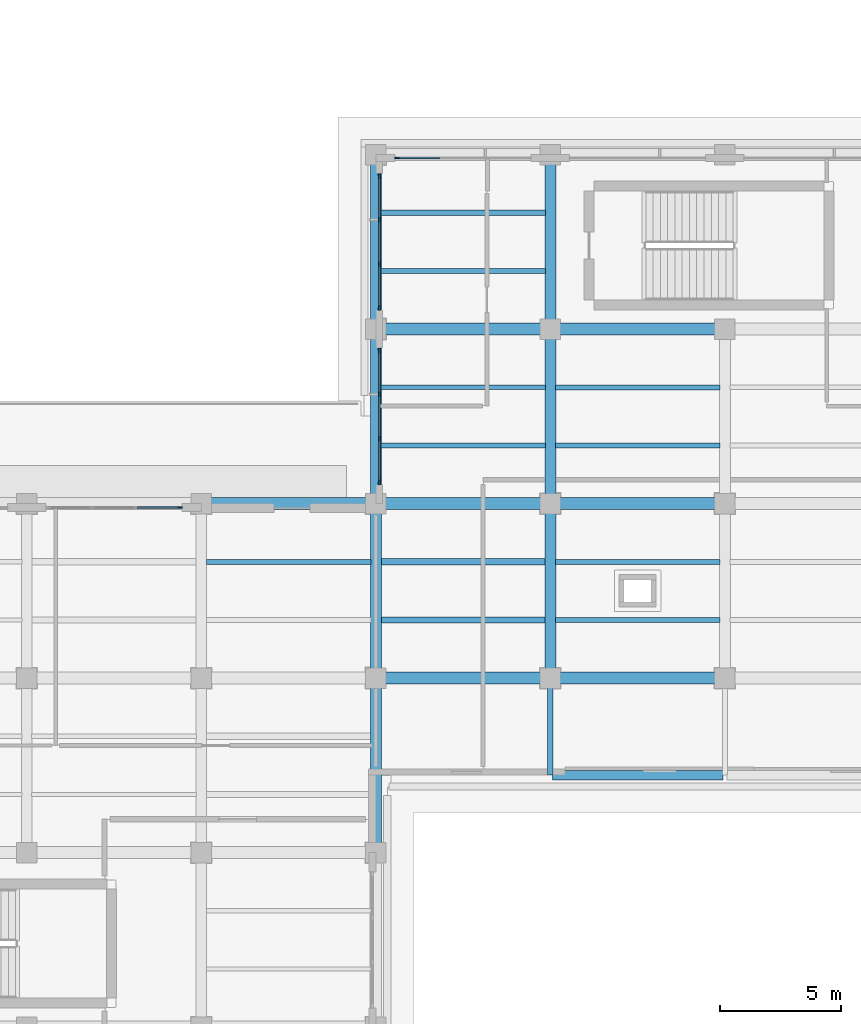
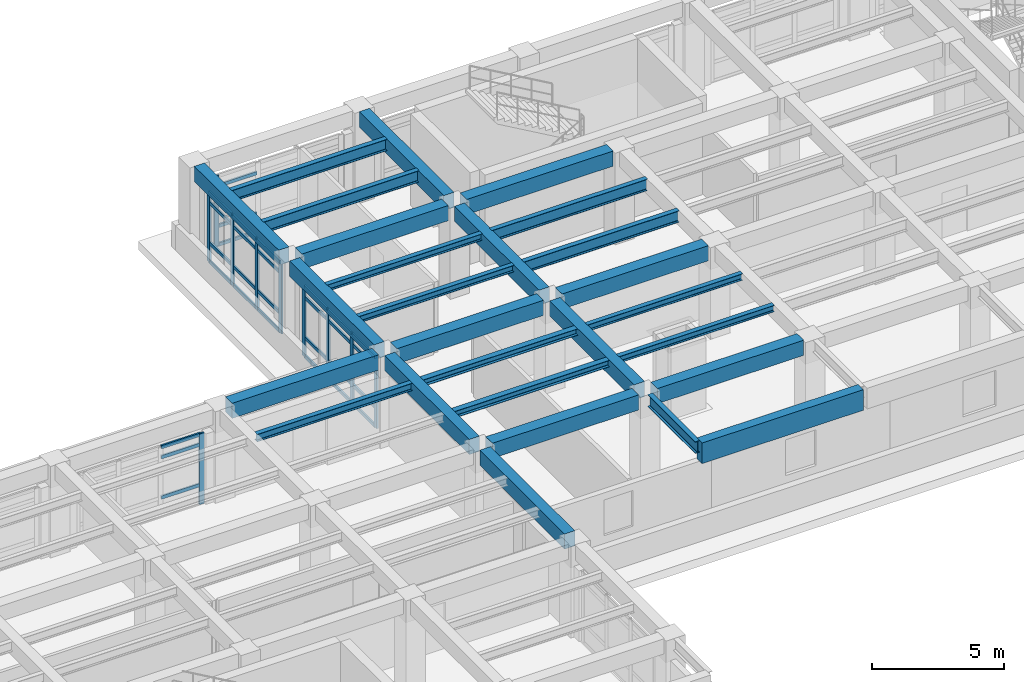
# One storey, part 45 of 98: 40 members, 27 beams, 4 elements without a shape of their own.
"""IFC4 building model written with IfcOpenShell, lengths in metres."""

from ifc_helpers import new_model, si_unit, direction, frame, origin, origin_2d, place, context, subcontext, project, spatial, rectangle, i_section, extrude, material, layer, layer_set, material_profile, profile_set, type_object, element, aggregate, save


model = new_model("IFC4")

# Units and contexts
model_context = context("Model", 3, precision=1e-05, world=origin(), true_north=direction((0.0, 1.0)))
body_context = subcontext(model_context, "Body", "Model", "MODEL_VIEW")
ifc_project = project(units=[si_unit("LENGTHUNIT", "METRE"), si_unit("AREAUNIT", "SQUARE_METRE"), si_unit("VOLUMEUNIT", "CUBIC_METRE"), si_unit("PLANEANGLEUNIT", "RADIAN"), si_unit("MASSUNIT", "GRAM", prefix="KILO")], contexts=[model_context])

# Site, building, storey
site_placement = place(None, origin())
site = spatial("IfcSite", under=ifc_project, at=site_placement, CompositionType="ELEMENT")
building_placement = place(site_placement, origin())
building = spatial("IfcBuilding", under=site, at=building_placement, Name="Solenvale Faculty of Natural Sciences", CompositionType="ELEMENT")
storey_placement = place(building_placement, frame((0.0, 0.0, 9.0)))
storey = spatial("IfcBuildingStorey", under=building, at=storey_placement, Name="L02", CompositionType="ELEMENT", Elevation=9.0)

# Beams
ifc_material_1 = material(Name="Concrete 40 MPa", Category="concrete")
ifc_material_profile_1 = material_profile(ifc_material_1, rectangle(XDim=0.449951171875, YDim=0.699951171875, at=origin_2d()), Name="RC-BM-450x700")
ifc_profile_set_1 = profile_set([ifc_material_profile_1], Name="Concrete 40 MPa")
beam_type_1 = type_object("IfcBeamType", Name="BM-RC-450x700", PredefinedType="BEAM", material=ifc_profile_set_1)
for number, where, z_axis, x_axis, name in (
    (1, (115.199951171875, 29.205078125, 3.8701171875), (0.0, 1.0, 0.0), (-1.0, 0.0, 0.0), "L02 Y-Girder X115.2 (28.8..36.0)"),
    (2, (115.199951171875, 36.405029296875, 3.8701171875), (0.0, 1.0, 0.0), (-1.0, 0.0, 0.0), "L02 Y-Girder X115.2 (36.0..43.2)"),
):
    element("IfcBeam", number, at=place(storey_placement, frame(where, z_axis=z_axis, x_axis=x_axis)), inside=storey, type_object=beam_type_1, Name=name, PredefinedType="BEAM", context=body_context, shape_type="SweptSolid", body=[
        extrude(rectangle(XDim=0.449951171875, YDim=0.699951171875, at=origin_2d()), origin(), (0.0, 0.0, 1.0), 6.389892578125),
    ])
for number, where, z_axis, x_axis, name in (
    (3, (115.199951171875, 43.60498046875, 3.8701171875), (0.0, 1.0, 0.0), (-1.0, 0.0, 0.0), "L02 Y-Girder X115.2 (43.2..50.4)"),
    (4, (115.199951171875, 50.804931640625, 3.8701171875), (0.0, 1.0, 0.0), (-1.0, 0.0, 0.0), "L02 Y-Girder X115.2 (50.4..57.6)"),
):
    element("IfcBeam", number, at=place(storey_placement, frame(where, z_axis=z_axis, x_axis=x_axis)), inside=storey, type_object=beam_type_1, Name=name, PredefinedType="BEAM", context=body_context, shape_type="SweptSolid", body=[
        extrude(rectangle(XDim=0.449951171875, YDim=0.699951171875, at=origin_2d()), origin(), (0.0, 0.0, 1.0), 6.39013671875),
    ])
beam_1_placement = place(storey_placement, frame((122.39990234375, 36.405029296875, 3.8701171875), z_axis=(0.0, 1.0, 0.0), x_axis=(-1.0, 0.0, 0.0)))
element("IfcBeam", 5, at=beam_1_placement, inside=storey, type_object=beam_type_1, Name="L02 Y-Girder X122.4 (36.0..43.2)", PredefinedType="BEAM", context=body_context, shape_type="SweptSolid", body=[
    extrude(rectangle(XDim=0.449951171875, YDim=0.699951171875, at=origin_2d()), origin(), (0.0, 0.0, 1.0), 6.389892578125),
])
for number, where, z_axis, x_axis, name in (
    (6, (122.39990234375, 43.60498046875, 3.8701171875), (0.0, 1.0, 0.0), (-1.0, 0.0, 0.0), "L02 Y-Girder X122.4 (43.2..50.4)"),
    (7, (122.39990234375, 50.804931640625, 3.8701171875), (0.0, 1.0, 0.0), (-1.0, 0.0, 0.0), "L02 Y-Girder X122.4 (50.4..57.6)"),
):
    element("IfcBeam", number, at=place(storey_placement, frame(where, z_axis=z_axis, x_axis=x_axis)), inside=storey, type_object=beam_type_1, Name=name, PredefinedType="BEAM", context=body_context, shape_type="SweptSolid", body=[
        extrude(rectangle(XDim=0.449951171875, YDim=0.699951171875, at=origin_2d()), origin(), (0.0, 0.0, 1.0), 6.39013671875),
    ])
ifc_material_profile_2 = material_profile(ifc_material_1, rectangle(XDim=0.5, YDim=0.699951171875, at=origin_2d()), Name="RC-BM-500x700")
ifc_profile_set_2 = profile_set([ifc_material_profile_2], Name="Concrete 40 MPa")
beam_type_2 = type_object("IfcBeamType", Name="BM-RC-500x700", PredefinedType="BEAM", material=ifc_profile_set_2)
for number, where, z_axis, x_axis, name in (
    (8, (115.60498046875, 36.0, 3.8701171875), (1.0, 0.0, 0.0), (0.0, 1.0, 0.0), "L02 X-Girder Y36.0 (115.2..122.4)"),
    (9, (122.804931640625, 36.0, 3.8701171875), (1.0, 0.0, 0.0), (0.0, 1.0, 0.0), "L02 X-Girder Y36.0 (122.4..129.6)"),
):
    element("IfcBeam", number, at=place(storey_placement, frame(where, z_axis=z_axis, x_axis=x_axis)), inside=storey, type_object=beam_type_2, Name=name, PredefinedType="BEAM", context=body_context, shape_type="SweptSolid", body=[
        extrude(rectangle(XDim=0.5, YDim=0.699951171875, at=origin_2d()), origin(), (0.0, 0.0, 1.0), 6.39013671875),
    ])
beam_2_placement = place(storey_placement, frame((108.405029296875, 43.199951171875, 3.8701171875), z_axis=(1.0, 0.0, 0.0), x_axis=(0.0, 1.0, 0.0)))
element("IfcBeam", 10, at=beam_2_placement, inside=storey, type_object=beam_type_2, Name="L02 X-Girder Y43.2 (108.0..115.2)", PredefinedType="BEAM", context=body_context, shape_type="SweptSolid", body=[
    extrude(rectangle(XDim=0.5, YDim=0.699951171875, at=origin_2d()), origin(), (0.0, 0.0, 1.0), 6.389892578125),
])
for number, where, z_axis, x_axis, name in (
    (11, (115.60498046875, 43.199951171875, 3.8701171875), (1.0, 0.0, 0.0), (0.0, 1.0, 0.0), "L02 X-Girder Y43.2 (115.2..122.4)"),
    (12, (122.804931640625, 43.199951171875, 3.8701171875), (1.0, 0.0, 0.0), (0.0, 1.0, 0.0), "L02 X-Girder Y43.2 (122.4..129.6)"),
    (13, (115.60498046875, 50.39990234375, 3.8701171875), (1.0, 0.0, 0.0), (0.0, 1.0, 0.0), "L02 X-Girder Y50.4 (115.2..122.4)"),
    (14, (122.804931640625, 50.39990234375, 3.8701171875), (1.0, 0.0, 0.0), (0.0, 1.0, 0.0), "L02 X-Girder Y50.4 (122.4..129.6)"),
):
    element("IfcBeam", number, at=place(storey_placement, frame(where, z_axis=z_axis, x_axis=x_axis)), inside=storey, type_object=beam_type_2, Name=name, PredefinedType="BEAM", context=body_context, shape_type="SweptSolid", body=[
        extrude(rectangle(XDim=0.5, YDim=0.699951171875, at=origin_2d()), origin(), (0.0, 0.0, 1.0), 6.39013671875),
    ])
ifc_material_2 = material(Name="Architectural bronze concrete 40 MPa", Category="concrete")
ifc_material_profile_3 = material_profile(ifc_material_2, rectangle(XDim=0.39990234375, YDim=0.949951171875, at=origin_2d()), Name="RC-SPN-400x950")
ifc_profile_set_3 = profile_set([ifc_material_profile_3], Name="Architectural bronze concrete 40 MPa")
beam_type_3 = type_object("IfcBeamType", Name="BM-SPN-BRZ-950", PredefinedType="SPANDREL", material=ifc_profile_set_3)
beam_3_placement = place(storey_placement, frame((122.47998046875, 32.0, 3.7451171875), z_axis=(1.0, 0.0, 0.0), x_axis=(0.0, 1.0, 0.0)))
element("IfcBeam", 15, at=beam_3_placement, inside=storey, type_object=beam_type_3, Name="L03 Commons Sliding-Tray South Bronze Fascia 1", PredefinedType="SPANDREL", context=body_context, shape_type="SweptSolid", body=[
    extrude(rectangle(XDim=0.39990234375, YDim=0.949951171875, at=origin_2d()), origin(), (0.0, 0.0, 1.0), 7.0400390625),
])
ifc_material_3 = material(Name="Steel S355", Category="steel")
ifc_material_profile_4 = material_profile(ifc_material_3, i_section(OverallWidth=0.202880859375, OverallDepth=0.302978515625, WebThickness=0.007568359375, FlangeThickness=0.01318359375, FilletRadius=0.014892578125, at=origin_2d()), Name="W310x60")
ifc_profile_set_4 = profile_set([ifc_material_profile_4], Name="Steel S355")
beam_type_4 = type_object("IfcBeamType", Name="BM-STL-W310x60", PredefinedType="JOIST", material=ifc_profile_set_4)
for number, where, z_axis, x_axis, name in (
    (16, (115.405029296875, 45.60009765625, 4.068603515625), (1.0, 0.0, 0.0), (0.0, 1.0, 0.0), "L02 Composite Floor Joist (17,7).1"),
    (17, (115.405029296875, 48.0, 4.068603515625), (1.0, 0.0, 0.0), (0.0, 1.0, 0.0), "L02 Composite Floor Joist (17,7).2"),
    (18, (122.60498046875, 38.39990234375, 4.068603515625), (1.0, 0.0, 0.0), (0.0, 1.0, 0.0), "L02 Composite Floor Joist (18,6).1"),
    (19, (122.60498046875, 40.800048828125, 4.068603515625), (1.0, 0.0, 0.0), (0.0, 1.0, 0.0), "L02 Composite Floor Joist (18,6).2"),
):
    element("IfcBeam", number, at=place(storey_placement, frame(where, z_axis=z_axis, x_axis=x_axis)), inside=storey, type_object=beam_type_4, Name=name, PredefinedType="JOIST", context=body_context, shape_type="SweptSolid", body=[
        extrude(i_section(OverallWidth=0.202880859375, OverallDepth=0.302978515625, WebThickness=0.007568359375, FlangeThickness=0.01318359375, FilletRadius=0.014892578125, at=origin_2d()), origin(), (0.0, 0.0, 1.0), 6.7900390625),
    ])
ifc_material_profile_5 = material_profile(ifc_material_3, i_section(OverallWidth=0.25390625, OverallDepth=0.305908203125, WebThickness=0.0087890625, FlangeThickness=0.0146484375, FilletRadius=0.014892578125, at=origin_2d()), Name="W310x79")
ifc_profile_set_5 = profile_set([ifc_material_profile_5], Name="Steel S355")
beam_type_5 = type_object("IfcBeamType", Name="BM-STL-W310x79", PredefinedType="JOIST", material=ifc_profile_set_5)
for number, where, z_axis, x_axis, name in (
    (20, (115.405029296875, 38.39990234375, 4.06689453125), (1.0, 0.0, 0.0), (0.0, 1.0, 0.0), "L02 Composite Floor Joist (17,6).1"),
    (21, (115.405029296875, 40.800048828125, 4.06689453125), (1.0, 0.0, 0.0), (0.0, 1.0, 0.0), "L02 Composite Floor Joist (17,6).2"),
):
    element("IfcBeam", number, at=place(storey_placement, frame(where, z_axis=z_axis, x_axis=x_axis)), inside=storey, type_object=beam_type_5, Name=name, PredefinedType="JOIST", context=body_context, shape_type="SweptSolid", body=[
        extrude(i_section(OverallWidth=0.25390625, OverallDepth=0.305908203125, WebThickness=0.0087890625, FlangeThickness=0.0146484375, FilletRadius=0.014892578125, at=origin_2d()), origin(), (0.0, 0.0, 1.0), 6.7900390625),
    ])
ifc_material_profile_6 = material_profile(ifc_material_3, i_section(OverallWidth=0.2041015625, OverallDepth=0.35009765625, WebThickness=0.008544921875, FlangeThickness=0.01513671875, FilletRadius=0.014892578125, at=origin_2d()), Name="W360x72")
ifc_profile_set_6 = profile_set([ifc_material_profile_6], Name="Steel S355")
beam_type_6 = type_object("IfcBeamType", Name="BM-STL-W360x72", PredefinedType="JOIST", material=ifc_profile_set_6)
beam_4_placement = place(storey_placement, frame((108.205078125, 40.800048828125, 4.044921875), z_axis=(1.0, 0.0, 0.0), x_axis=(0.0, 1.0, 0.0)))
element("IfcBeam", 22, at=beam_4_placement, inside=storey, type_object=beam_type_6, Name="L02 Composite Floor Joist (16,6).2", PredefinedType="JOIST", context=body_context, shape_type="SweptSolid", body=[
    extrude(i_section(OverallWidth=0.2041015625, OverallDepth=0.35009765625, WebThickness=0.008544921875, FlangeThickness=0.01513671875, FilletRadius=0.014892578125, at=origin_2d()), origin(), (0.0, 0.0, 1.0), 6.7900390625),
])
ifc_material_profile_7 = material_profile(ifc_material_3, i_section(OverallWidth=0.2119140625, OverallDepth=0.5439453125, WebThickness=0.01318359375, FlangeThickness=0.021240234375, FilletRadius=0.01904296875, at=origin_2d()), Name="W530x123")
ifc_profile_set_7 = profile_set([ifc_material_profile_7], Name="Steel S355")
beam_type_7 = type_object("IfcBeamType", Name="BM-STL-W530x123", PredefinedType="BEAM", material=ifc_profile_set_7)
beam_5_placement = place(storey_placement, frame((122.39990234375, 35.594970703125, 3.947998046875), z_axis=(0.0, -1.0, 0.0), x_axis=(1.0, 0.0, 0.0)))
element("IfcBeam", 23, at=beam_5_placement, inside=storey, type_object=beam_type_7, Name="L02 V2 Cantilever Tray Girder X122.4", PredefinedType="BEAM", context=body_context, shape_type="SweptSolid", body=[
    extrude(i_section(OverallWidth=0.2119140625, OverallDepth=0.5439453125, WebThickness=0.01318359375, FlangeThickness=0.021240234375, FilletRadius=0.01904296875, at=origin_2d()), origin(), (0.0, 0.0, 1.0), 3.594970703125),
])
ifc_material_profile_8 = material_profile(ifc_material_3, i_section(OverallWidth=0.208984375, OverallDepth=0.532958984375, WebThickness=0.01025390625, FlangeThickness=0.015625, FilletRadius=0.01904296875, at=origin_2d()), Name="W530x92")
ifc_profile_set_8 = profile_set([ifc_material_profile_8], Name="Steel S355")
beam_type_8 = type_object("IfcBeamType", Name="BM-STL-W530x92", PredefinedType="JOIST", material=ifc_profile_set_8)
for number, where, z_axis, x_axis, name in (
    (24, (115.405029296875, 52.800048828125, 3.95361328125), (1.0, 0.0, 0.0), (0.0, 1.0, 0.0), "L02 Composite Floor Joist (17,8).1"),
    (25, (115.405029296875, 55.199951171875, 3.95361328125), (1.0, 0.0, 0.0), (0.0, 1.0, 0.0), "L02 Composite Floor Joist (17,8).2"),
    (26, (122.60498046875, 45.60009765625, 3.95361328125), (1.0, 0.0, 0.0), (0.0, 1.0, 0.0), "L02 Composite Floor Joist (18,7).1"),
    (27, (122.60498046875, 48.0, 3.95361328125), (1.0, 0.0, 0.0), (0.0, 1.0, 0.0), "L02 Composite Floor Joist (18,7).2"),
):
    element("IfcBeam", number, at=place(storey_placement, frame(where, z_axis=z_axis, x_axis=x_axis)), inside=storey, type_object=beam_type_8, Name=name, PredefinedType="JOIST", context=body_context, shape_type="SweptSolid", body=[
        extrude(i_section(OverallWidth=0.208984375, OverallDepth=0.532958984375, WebThickness=0.01025390625, FlangeThickness=0.015625, FilletRadius=0.01904296875, at=origin_2d()), origin(), (0.0, 0.0, 1.0), 6.7900390625),
    ])

# Curtain wall, member
ifc_material_4 = material(Name="Anodised bronze aluminium", Category="aluminium")
ifc_layer_1 = layer(ifc_material_4, 0.199951171875)
ifc_layer_set_1 = layer_set([ifc_layer_1], Name="Anodised bronze aluminium")
curtain_wall_type_1 = type_object("IfcCurtainWallType", Name="CW-COM-FIN", PredefinedType="USERDEFINED", material=ifc_layer_set_1)
curtain_wall_1_placement = place(storey_placement, origin())
curtain_wall_1 = element("IfcCurtainWall", 28, at=curtain_wall_1_placement, inside=storey, type_object=curtain_wall_type_1, Name="L02 Curtain Wall CW-L02-P1-E4-B7", ObjectType="UNITISED CURTAIN WALL", PredefinedType="USERDEFINED")
ifc_material_profile_9 = material_profile(ifc_material_4, rectangle(XDim=0.074951171875, YDim=0.2099609375, at=origin_2d()), Name="ALU-MUL-75x210")
ifc_profile_set_9 = profile_set([ifc_material_profile_9], Name="Anodised bronze aluminium")
member_type_1 = type_object("IfcMemberType", Name="CWM-ALU-75x210", PredefinedType="MULLION", material=ifc_profile_set_9)
member_1_placement = place(storey_placement, frame((116.08740234375, 57.45751953125, 0.0), z_axis=(0.0, 0.0, 1.0), x_axis=(0.0, -1.0, 0.0)))
member_1 = element("IfcMember", 29, at=member_1_placement, type_object=member_type_1, Name="CW-03 mullion 4", PredefinedType="MULLION", context=body_context, shape_type="SweptSolid", body=[
    extrude(rectangle(XDim=0.074951171875, YDim=0.2099609375, at=origin_2d()), origin(), (0.0, 0.0, 1.0), 3.260009765625),
])

# Curtain wall, members
curtain_wall_2_placement = place(storey_placement, origin())
curtain_wall_2 = element("IfcCurtainWall", 30, at=curtain_wall_2_placement, inside=storey, type_object=curtain_wall_type_1, Name="L02 Curtain Wall CW-L02-P1-E5-B1", ObjectType="UNITISED CURTAIN WALL", PredefinedType="USERDEFINED")
member_2_placement = place(storey_placement, frame((115.342529296875, 56.71240234375, 0.0), z_axis=(0.0, 0.0, 1.0), x_axis=(1.0, 0.0, 0.0)))
member_2 = element("IfcMember", 31, at=member_2_placement, type_object=member_type_1, Name="CW-03 mullion 1", PredefinedType="MULLION", context=body_context, shape_type="SweptSolid", body=[
    extrude(rectangle(XDim=0.074951171875, YDim=0.2099609375, at=origin_2d()), origin(), (0.0, 0.0, 1.0), 3.260009765625),
])
member_3_placement = place(storey_placement, frame((115.342529296875, 54.916748046875, 0.0), z_axis=(0.0, 0.0, 1.0), x_axis=(1.0, 0.0, 0.0)))
member_3 = element("IfcMember", 32, at=member_3_placement, type_object=member_type_1, Name="CW-03 mullion 2", PredefinedType="MULLION", context=body_context, shape_type="SweptSolid", body=[
    extrude(rectangle(XDim=0.074951171875, YDim=0.2099609375, at=origin_2d()), origin(), (0.0, 0.0, 1.0), 3.260009765625),
])
member_4_placement = place(storey_placement, frame((115.342529296875, 53.083251953125, 0.0), z_axis=(0.0, 0.0, 1.0), x_axis=(1.0, 0.0, 0.0)))
member_4 = element("IfcMember", 33, at=member_4_placement, type_object=member_type_1, Name="CW-03 mullion 3", PredefinedType="MULLION", context=body_context, shape_type="SweptSolid", body=[
    extrude(rectangle(XDim=0.074951171875, YDim=0.2099609375, at=origin_2d()), origin(), (0.0, 0.0, 1.0), 3.260009765625),
])
member_5_placement = place(storey_placement, frame((115.342529296875, 51.28759765625, 0.0), z_axis=(0.0, 0.0, 1.0), x_axis=(1.0, 0.0, 0.0)))
member_5 = element("IfcMember", 34, at=member_5_placement, type_object=member_type_1, Name="CW-03 mullion 4", PredefinedType="MULLION", context=body_context, shape_type="SweptSolid", body=[
    extrude(rectangle(XDim=0.074951171875, YDim=0.2099609375, at=origin_2d()), origin(), (0.0, 0.0, 1.0), 3.260009765625),
])

curtain_wall_3_placement = place(storey_placement, origin())
curtain_wall_3 = element("IfcCurtainWall", 35, at=curtain_wall_3_placement, inside=storey, type_object=curtain_wall_type_1, Name="L02 Curtain Wall CW-L02-P1-E5-B2", ObjectType="UNITISED CURTAIN WALL", PredefinedType="USERDEFINED")
member_6_placement = place(storey_placement, frame((115.342529296875, 49.512451171875, 0.0), z_axis=(0.0, 0.0, 1.0), x_axis=(1.0, 0.0, 0.0)))
member_6 = element("IfcMember", 36, at=member_6_placement, type_object=member_type_1, Name="CW-03 mullion 1", PredefinedType="MULLION", context=body_context, shape_type="SweptSolid", body=[
    extrude(rectangle(XDim=0.074951171875, YDim=0.2099609375, at=origin_2d()), origin(), (0.0, 0.0, 1.0), 3.260009765625),
])
member_7_placement = place(storey_placement, frame((115.342529296875, 47.716552734375, 0.0), z_axis=(0.0, 0.0, 1.0), x_axis=(1.0, 0.0, 0.0)))
member_7 = element("IfcMember", 37, at=member_7_placement, type_object=member_type_1, Name="CW-03 mullion 2", PredefinedType="MULLION", context=body_context, shape_type="SweptSolid", body=[
    extrude(rectangle(XDim=0.074951171875, YDim=0.2099609375, at=origin_2d()), origin(), (0.0, 0.0, 1.0), 3.260009765625),
])
member_8_placement = place(storey_placement, frame((115.342529296875, 45.88330078125, 0.0), z_axis=(0.0, 0.0, 1.0), x_axis=(1.0, 0.0, 0.0)))
member_8 = element("IfcMember", 38, at=member_8_placement, type_object=member_type_1, Name="CW-03 mullion 3", PredefinedType="MULLION", context=body_context, shape_type="SweptSolid", body=[
    extrude(rectangle(XDim=0.074951171875, YDim=0.2099609375, at=origin_2d()), origin(), (0.0, 0.0, 1.0), 3.260009765625),
])
member_9_placement = place(storey_placement, frame((115.342529296875, 44.08740234375, 0.0), z_axis=(0.0, 0.0, 1.0), x_axis=(1.0, 0.0, 0.0)))
member_9 = element("IfcMember", 39, at=member_9_placement, type_object=member_type_1, Name="CW-03 mullion 4", PredefinedType="MULLION", context=body_context, shape_type="SweptSolid", body=[
    extrude(rectangle(XDim=0.074951171875, YDim=0.2099609375, at=origin_2d()), origin(), (0.0, 0.0, 1.0), 3.260009765625),
])

# Curtain wall, member
ifc_layer_2 = layer(ifc_material_4, 0.18994140625)
ifc_layer_set_2 = layer_set([ifc_layer_2], Name="Anodised bronze aluminium")
curtain_wall_type_2 = type_object("IfcCurtainWallType", Name="CW-TRAY-REC", PredefinedType="USERDEFINED", material=ifc_layer_set_2)
curtain_wall_4_placement = place(storey_placement, origin())
curtain_wall_4 = element("IfcCurtainWall", 40, at=curtain_wall_4_placement, inside=storey, type_object=curtain_wall_type_2, Name="L02 Curtain Wall CW-L02-P1-E6-B2", ObjectType="UNITISED CURTAIN WALL", PredefinedType="USERDEFINED")
member_10_placement = place(storey_placement, frame((107.112548828125, 43.03759765625, 0.0), z_axis=(0.0, 0.0, 1.0), x_axis=(0.0, -1.0, 0.0)))
member_10 = element("IfcMember", 41, at=member_10_placement, type_object=member_type_1, Name="CW-02 mullion 1", PredefinedType="MULLION", context=body_context, shape_type="SweptSolid", body=[
    extrude(rectangle(XDim=0.074951171875, YDim=0.2099609375, at=origin_2d()), origin(), (0.0, 0.0, 1.0), 3.260009765625),
])

# Member
ifc_material_profile_10 = material_profile(ifc_material_4, rectangle(XDim=0.074951171875, YDim=0.155029296875, at=origin_2d()), Name="ALU-TRN-75x155")
ifc_profile_set_10 = profile_set([ifc_material_profile_10], Name="Anodised bronze aluminium")
member_type_2 = type_object("IfcMemberType", Name="CWT-ALU-75x155", PredefinedType="USERDEFINED", material=ifc_profile_set_10)
member_11_placement = place(storey_placement, frame((117.845947265625, 57.45751953125, 0.03759765625), z_axis=(-1.0, 0.0, 0.0), x_axis=(0.0, -1.0, 0.0)))
member_11 = element("IfcMember", 42, at=member_11_placement, type_object=member_type_2, Name="CW-03 transom 3.1", ObjectType="TRANSOM", PredefinedType="USERDEFINED", context=body_context, shape_type="SweptSolid", body=[
    extrude(rectangle(XDim=0.074951171875, YDim=0.155029296875, at=origin_2d()), origin(), (0.0, 0.0, 1.0), 1.720947265625),
])

member_12_placement = place(storey_placement, frame((117.845947265625, 57.45751953125, 0.89990234375), z_axis=(-1.0, 0.0, 0.0), x_axis=(0.0, -1.0, 0.0)))
member_12 = element("IfcMember", 43, at=member_12_placement, type_object=member_type_2, Name="CW-03 transom 3.2", ObjectType="TRANSOM", PredefinedType="USERDEFINED", context=body_context, shape_type="SweptSolid", body=[
    extrude(rectangle(XDim=0.074951171875, YDim=0.155029296875, at=origin_2d()), origin(), (0.0, 0.0, 1.0), 1.720947265625),
])

member_13_placement = place(storey_placement, frame((117.845947265625, 57.45751953125, 2.760009765625), z_axis=(-1.0, 0.0, 0.0), x_axis=(0.0, -1.0, 0.0)))
member_13 = element("IfcMember", 44, at=member_13_placement, type_object=member_type_2, Name="CW-03 transom 3.3", ObjectType="TRANSOM", PredefinedType="USERDEFINED", context=body_context, shape_type="SweptSolid", body=[
    extrude(rectangle(XDim=0.074951171875, YDim=0.155029296875, at=origin_2d()), origin(), (0.0, 0.0, 1.0), 1.720947265625),
])

aggregate(curtain_wall_1, [member_1, member_11, member_12, member_13])

member_14_placement = place(storey_placement, frame((115.342529296875, 56.675048828125, 0.03759765625), z_axis=(0.0, -1.0, 0.0), x_axis=(1.0, 0.0, 0.0)))
member_14 = element("IfcMember", 45, at=member_14_placement, type_object=member_type_2, Name="CW-03 transom 1.1", ObjectType="TRANSOM", PredefinedType="USERDEFINED", context=body_context, shape_type="SweptSolid", body=[
    extrude(rectangle(XDim=0.074951171875, YDim=0.155029296875, at=origin_2d()), origin(), (0.0, 0.0, 1.0), 1.720947265625),
])

member_15_placement = place(storey_placement, frame((115.342529296875, 56.675048828125, 0.89990234375), z_axis=(0.0, -1.0, 0.0), x_axis=(1.0, 0.0, 0.0)))
member_15 = element("IfcMember", 46, at=member_15_placement, type_object=member_type_2, Name="CW-03 transom 1.2", ObjectType="TRANSOM", PredefinedType="USERDEFINED", context=body_context, shape_type="SweptSolid", body=[
    extrude(rectangle(XDim=0.074951171875, YDim=0.155029296875, at=origin_2d()), origin(), (0.0, 0.0, 1.0), 1.720947265625),
])

member_16_placement = place(storey_placement, frame((115.342529296875, 56.675048828125, 2.760009765625), z_axis=(0.0, -1.0, 0.0), x_axis=(1.0, 0.0, 0.0)))
member_16 = element("IfcMember", 47, at=member_16_placement, type_object=member_type_2, Name="CW-03 transom 1.3", ObjectType="TRANSOM", PredefinedType="USERDEFINED", context=body_context, shape_type="SweptSolid", body=[
    extrude(rectangle(XDim=0.074951171875, YDim=0.155029296875, at=origin_2d()), origin(), (0.0, 0.0, 1.0), 1.720947265625),
])

member_17_placement = place(storey_placement, frame((115.342529296875, 56.675048828125, 3.222412109375), z_axis=(0.0, -1.0, 0.0), x_axis=(1.0, 0.0, 0.0)))
member_17 = element("IfcMember", 48, at=member_17_placement, type_object=member_type_2, Name="CW-03 transom 1.4", ObjectType="TRANSOM", PredefinedType="USERDEFINED", context=body_context, shape_type="SweptSolid", body=[
    extrude(rectangle(XDim=0.074951171875, YDim=0.155029296875, at=origin_2d()), origin(), (0.0, 0.0, 1.0), 1.720947265625),
])

member_18_placement = place(storey_placement, frame((115.342529296875, 54.879150390625, 0.03759765625), z_axis=(0.0, -1.0, 0.0), x_axis=(1.0, 0.0, 0.0)))
member_18 = element("IfcMember", 49, at=member_18_placement, type_object=member_type_2, Name="CW-03 transom 2.1", ObjectType="TRANSOM", PredefinedType="USERDEFINED", context=body_context, shape_type="SweptSolid", body=[
    extrude(rectangle(XDim=0.074951171875, YDim=0.155029296875, at=origin_2d()), origin(), (0.0, 0.0, 1.0), 1.75830078125),
])

member_19_placement = place(storey_placement, frame((115.342529296875, 54.879150390625, 0.89990234375), z_axis=(0.0, -1.0, 0.0), x_axis=(1.0, 0.0, 0.0)))
member_19 = element("IfcMember", 50, at=member_19_placement, type_object=member_type_2, Name="CW-03 transom 2.2", ObjectType="TRANSOM", PredefinedType="USERDEFINED", context=body_context, shape_type="SweptSolid", body=[
    extrude(rectangle(XDim=0.074951171875, YDim=0.155029296875, at=origin_2d()), origin(), (0.0, 0.0, 1.0), 1.75830078125),
])

member_20_placement = place(storey_placement, frame((115.342529296875, 54.879150390625, 2.760009765625), z_axis=(0.0, -1.0, 0.0), x_axis=(1.0, 0.0, 0.0)))
member_20 = element("IfcMember", 51, at=member_20_placement, type_object=member_type_2, Name="CW-03 transom 2.3", ObjectType="TRANSOM", PredefinedType="USERDEFINED", context=body_context, shape_type="SweptSolid", body=[
    extrude(rectangle(XDim=0.074951171875, YDim=0.155029296875, at=origin_2d()), origin(), (0.0, 0.0, 1.0), 1.75830078125),
])

member_21_placement = place(storey_placement, frame((115.342529296875, 54.879150390625, 3.222412109375), z_axis=(0.0, -1.0, 0.0), x_axis=(1.0, 0.0, 0.0)))
member_21 = element("IfcMember", 52, at=member_21_placement, type_object=member_type_2, Name="CW-03 transom 2.4", ObjectType="TRANSOM", PredefinedType="USERDEFINED", context=body_context, shape_type="SweptSolid", body=[
    extrude(rectangle(XDim=0.074951171875, YDim=0.155029296875, at=origin_2d()), origin(), (0.0, 0.0, 1.0), 1.75830078125),
])

member_22_placement = place(storey_placement, frame((115.342529296875, 53.0458984375, 0.03759765625), z_axis=(0.0, -1.0, 0.0), x_axis=(1.0, 0.0, 0.0)))
member_22 = element("IfcMember", 53, at=member_22_placement, type_object=member_type_2, Name="CW-03 transom 3.1", ObjectType="TRANSOM", PredefinedType="USERDEFINED", context=body_context, shape_type="SweptSolid", body=[
    extrude(rectangle(XDim=0.074951171875, YDim=0.155029296875, at=origin_2d()), origin(), (0.0, 0.0, 1.0), 1.720947265625),
])

member_23_placement = place(storey_placement, frame((115.342529296875, 53.0458984375, 0.89990234375), z_axis=(0.0, -1.0, 0.0), x_axis=(1.0, 0.0, 0.0)))
member_23 = element("IfcMember", 54, at=member_23_placement, type_object=member_type_2, Name="CW-03 transom 3.2", ObjectType="TRANSOM", PredefinedType="USERDEFINED", context=body_context, shape_type="SweptSolid", body=[
    extrude(rectangle(XDim=0.074951171875, YDim=0.155029296875, at=origin_2d()), origin(), (0.0, 0.0, 1.0), 1.720947265625),
])

member_24_placement = place(storey_placement, frame((115.342529296875, 53.0458984375, 2.760009765625), z_axis=(0.0, -1.0, 0.0), x_axis=(1.0, 0.0, 0.0)))
member_24 = element("IfcMember", 55, at=member_24_placement, type_object=member_type_2, Name="CW-03 transom 3.3", ObjectType="TRANSOM", PredefinedType="USERDEFINED", context=body_context, shape_type="SweptSolid", body=[
    extrude(rectangle(XDim=0.074951171875, YDim=0.155029296875, at=origin_2d()), origin(), (0.0, 0.0, 1.0), 1.720947265625),
])

member_25_placement = place(storey_placement, frame((115.342529296875, 53.0458984375, 3.222412109375), z_axis=(0.0, -1.0, 0.0), x_axis=(1.0, 0.0, 0.0)))
member_25 = element("IfcMember", 56, at=member_25_placement, type_object=member_type_2, Name="CW-03 transom 3.4", ObjectType="TRANSOM", PredefinedType="USERDEFINED", context=body_context, shape_type="SweptSolid", body=[
    extrude(rectangle(XDim=0.074951171875, YDim=0.155029296875, at=origin_2d()), origin(), (0.0, 0.0, 1.0), 1.720947265625),
])

aggregate(curtain_wall_2, [member_2, member_3, member_4, member_5, member_14, member_15, member_16, member_17, member_18, member_19, member_20, member_21, member_22, member_23, member_24, member_25])

member_26_placement = place(storey_placement, frame((115.342529296875, 49.47509765625, 0.03759765625), z_axis=(0.0, -1.0, 0.0), x_axis=(1.0, 0.0, 0.0)))
member_26 = element("IfcMember", 57, at=member_26_placement, type_object=member_type_2, Name="CW-03 transom 1.1", ObjectType="TRANSOM", PredefinedType="USERDEFINED", context=body_context, shape_type="SweptSolid", body=[
    extrude(rectangle(XDim=0.074951171875, YDim=0.155029296875, at=origin_2d()), origin(), (0.0, 0.0, 1.0), 1.720947265625),
])

member_27_placement = place(storey_placement, frame((115.342529296875, 49.47509765625, 0.89990234375), z_axis=(0.0, -1.0, 0.0), x_axis=(1.0, 0.0, 0.0)))
member_27 = element("IfcMember", 58, at=member_27_placement, type_object=member_type_2, Name="CW-03 transom 1.2", ObjectType="TRANSOM", PredefinedType="USERDEFINED", context=body_context, shape_type="SweptSolid", body=[
    extrude(rectangle(XDim=0.074951171875, YDim=0.155029296875, at=origin_2d()), origin(), (0.0, 0.0, 1.0), 1.720947265625),
])

member_28_placement = place(storey_placement, frame((115.342529296875, 49.47509765625, 2.760009765625), z_axis=(0.0, -1.0, 0.0), x_axis=(1.0, 0.0, 0.0)))
member_28 = element("IfcMember", 59, at=member_28_placement, type_object=member_type_2, Name="CW-03 transom 1.3", ObjectType="TRANSOM", PredefinedType="USERDEFINED", context=body_context, shape_type="SweptSolid", body=[
    extrude(rectangle(XDim=0.074951171875, YDim=0.155029296875, at=origin_2d()), origin(), (0.0, 0.0, 1.0), 1.720947265625),
])

member_29_placement = place(storey_placement, frame((115.342529296875, 49.47509765625, 3.222412109375), z_axis=(0.0, -1.0, 0.0), x_axis=(1.0, 0.0, 0.0)))
member_29 = element("IfcMember", 60, at=member_29_placement, type_object=member_type_2, Name="CW-03 transom 1.4", ObjectType="TRANSOM", PredefinedType="USERDEFINED", context=body_context, shape_type="SweptSolid", body=[
    extrude(rectangle(XDim=0.074951171875, YDim=0.155029296875, at=origin_2d()), origin(), (0.0, 0.0, 1.0), 1.720947265625),
])

member_30_placement = place(storey_placement, frame((115.342529296875, 47.67919921875, 0.03759765625), z_axis=(0.0, -1.0, 0.0), x_axis=(1.0, 0.0, 0.0)))
member_30 = element("IfcMember", 61, at=member_30_placement, type_object=member_type_2, Name="CW-03 transom 2.1", ObjectType="TRANSOM", PredefinedType="USERDEFINED", context=body_context, shape_type="SweptSolid", body=[
    extrude(rectangle(XDim=0.074951171875, YDim=0.155029296875, at=origin_2d()), origin(), (0.0, 0.0, 1.0), 1.75830078125),
])

member_31_placement = place(storey_placement, frame((115.342529296875, 47.67919921875, 0.89990234375), z_axis=(0.0, -1.0, 0.0), x_axis=(1.0, 0.0, 0.0)))
member_31 = element("IfcMember", 62, at=member_31_placement, type_object=member_type_2, Name="CW-03 transom 2.2", ObjectType="TRANSOM", PredefinedType="USERDEFINED", context=body_context, shape_type="SweptSolid", body=[
    extrude(rectangle(XDim=0.074951171875, YDim=0.155029296875, at=origin_2d()), origin(), (0.0, 0.0, 1.0), 1.75830078125),
])

member_32_placement = place(storey_placement, frame((115.342529296875, 47.67919921875, 2.760009765625), z_axis=(0.0, -1.0, 0.0), x_axis=(1.0, 0.0, 0.0)))
member_32 = element("IfcMember", 63, at=member_32_placement, type_object=member_type_2, Name="CW-03 transom 2.3", ObjectType="TRANSOM", PredefinedType="USERDEFINED", context=body_context, shape_type="SweptSolid", body=[
    extrude(rectangle(XDim=0.074951171875, YDim=0.155029296875, at=origin_2d()), origin(), (0.0, 0.0, 1.0), 1.75830078125),
])

member_33_placement = place(storey_placement, frame((115.342529296875, 47.67919921875, 3.222412109375), z_axis=(0.0, -1.0, 0.0), x_axis=(1.0, 0.0, 0.0)))
member_33 = element("IfcMember", 64, at=member_33_placement, type_object=member_type_2, Name="CW-03 transom 2.4", ObjectType="TRANSOM", PredefinedType="USERDEFINED", context=body_context, shape_type="SweptSolid", body=[
    extrude(rectangle(XDim=0.074951171875, YDim=0.155029296875, at=origin_2d()), origin(), (0.0, 0.0, 1.0), 1.75830078125),
])

member_34_placement = place(storey_placement, frame((115.342529296875, 45.845947265625, 0.03759765625), z_axis=(0.0, -1.0, 0.0), x_axis=(1.0, 0.0, 0.0)))
member_34 = element("IfcMember", 65, at=member_34_placement, type_object=member_type_2, Name="CW-03 transom 3.1", ObjectType="TRANSOM", PredefinedType="USERDEFINED", context=body_context, shape_type="SweptSolid", body=[
    extrude(rectangle(XDim=0.074951171875, YDim=0.155029296875, at=origin_2d()), origin(), (0.0, 0.0, 1.0), 1.720947265625),
])

member_35_placement = place(storey_placement, frame((115.342529296875, 45.845947265625, 0.89990234375), z_axis=(0.0, -1.0, 0.0), x_axis=(1.0, 0.0, 0.0)))
member_35 = element("IfcMember", 66, at=member_35_placement, type_object=member_type_2, Name="CW-03 transom 3.2", ObjectType="TRANSOM", PredefinedType="USERDEFINED", context=body_context, shape_type="SweptSolid", body=[
    extrude(rectangle(XDim=0.074951171875, YDim=0.155029296875, at=origin_2d()), origin(), (0.0, 0.0, 1.0), 1.720947265625),
])

member_36_placement = place(storey_placement, frame((115.342529296875, 45.845947265625, 2.760009765625), z_axis=(0.0, -1.0, 0.0), x_axis=(1.0, 0.0, 0.0)))
member_36 = element("IfcMember", 67, at=member_36_placement, type_object=member_type_2, Name="CW-03 transom 3.3", ObjectType="TRANSOM", PredefinedType="USERDEFINED", context=body_context, shape_type="SweptSolid", body=[
    extrude(rectangle(XDim=0.074951171875, YDim=0.155029296875, at=origin_2d()), origin(), (0.0, 0.0, 1.0), 1.720947265625),
])

member_37_placement = place(storey_placement, frame((115.342529296875, 45.845947265625, 3.222412109375), z_axis=(0.0, -1.0, 0.0), x_axis=(1.0, 0.0, 0.0)))
member_37 = element("IfcMember", 68, at=member_37_placement, type_object=member_type_2, Name="CW-03 transom 3.4", ObjectType="TRANSOM", PredefinedType="USERDEFINED", context=body_context, shape_type="SweptSolid", body=[
    extrude(rectangle(XDim=0.074951171875, YDim=0.155029296875, at=origin_2d()), origin(), (0.0, 0.0, 1.0), 1.720947265625),
])

aggregate(curtain_wall_3, [member_6, member_7, member_8, member_9, member_26, member_27, member_28, member_29, member_30, member_31, member_32, member_33, member_34, member_35, member_36, member_37])

member_38_placement = place(storey_placement, frame((107.074951171875, 43.03759765625, 0.89990234375), z_axis=(-1.0, 0.0, 0.0), x_axis=(0.0, -1.0, 0.0)))
member_38 = element("IfcMember", 69, at=member_38_placement, type_object=member_type_2, Name="CW-02 transom 1.2", ObjectType="TRANSOM", PredefinedType="USERDEFINED", context=body_context, shape_type="SweptSolid", body=[
    extrude(rectangle(XDim=0.074951171875, YDim=0.155029296875, at=origin_2d()), origin(), (0.0, 0.0, 1.0), 1.720703125),
])

member_39_placement = place(storey_placement, frame((107.074951171875, 43.03759765625, 2.760009765625), z_axis=(-1.0, 0.0, 0.0), x_axis=(0.0, -1.0, 0.0)))
member_39 = element("IfcMember", 70, at=member_39_placement, type_object=member_type_2, Name="CW-02 transom 1.3", ObjectType="TRANSOM", PredefinedType="USERDEFINED", context=body_context, shape_type="SweptSolid", body=[
    extrude(rectangle(XDim=0.074951171875, YDim=0.155029296875, at=origin_2d()), origin(), (0.0, 0.0, 1.0), 1.720703125),
])

member_40_placement = place(storey_placement, frame((107.074951171875, 43.03759765625, 3.222412109375), z_axis=(-1.0, 0.0, 0.0), x_axis=(0.0, -1.0, 0.0)))
member_40 = element("IfcMember", 71, at=member_40_placement, type_object=member_type_2, Name="CW-02 transom 1.4", ObjectType="TRANSOM", PredefinedType="USERDEFINED", context=body_context, shape_type="SweptSolid", body=[
    extrude(rectangle(XDim=0.074951171875, YDim=0.155029296875, at=origin_2d()), origin(), (0.0, 0.0, 1.0), 1.720703125),
])

aggregate(curtain_wall_4, [member_10, member_38, member_39, member_40])

save(model, "model.ifc")
